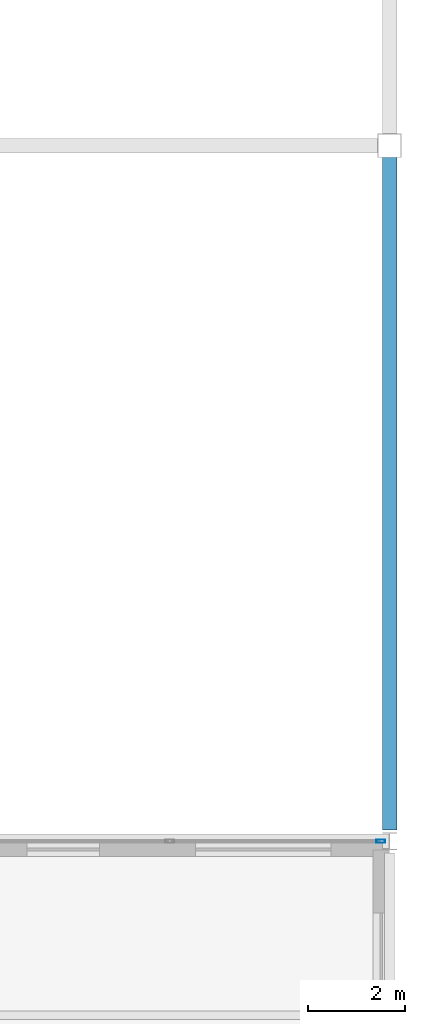
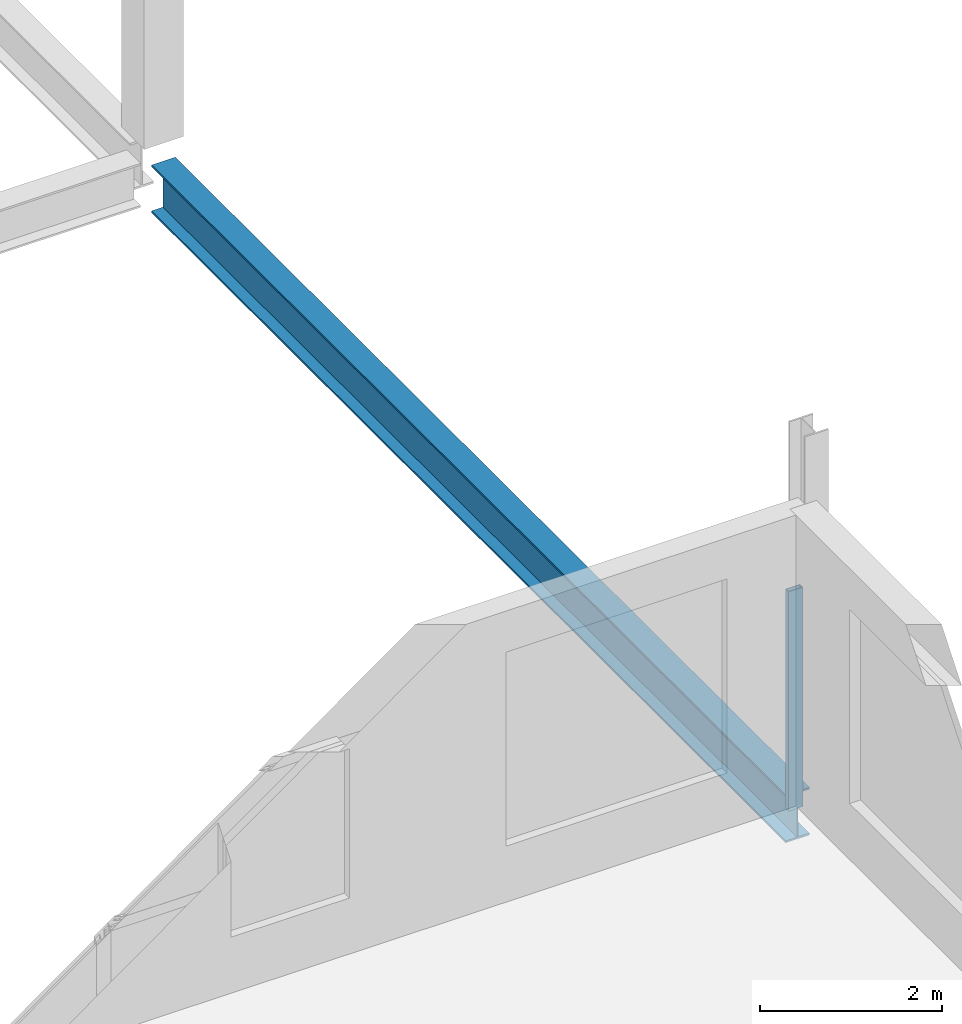
# One storey, part 94 of 134: 1 beam, 1 member, 1 element without a shape of its own.
"""IFC4 building model written with IfcOpenShell, lengths in metres."""

from ifc_helpers import new_model, si_unit, direction, frame, origin, origin_2d, place, context, subcontext, project, spatial, hollow_rectangle, i_section, extrude, material, layer, layer_set, material_profile, profile_set, type_object, element, aggregate, save


model = new_model("IFC4")

# Units and contexts
model_context = context("Model", 3, precision=1e-05, world=origin(), true_north=direction((0.0, 1.0)))
body_context = subcontext(model_context, "Body", "Model", "MODEL_VIEW")
ifc_project = project(units=[si_unit("LENGTHUNIT", "METRE"), si_unit("AREAUNIT", "SQUARE_METRE"), si_unit("VOLUMEUNIT", "CUBIC_METRE"), si_unit("PLANEANGLEUNIT", "RADIAN"), si_unit("MASSUNIT", "GRAM", prefix="KILO")], contexts=[model_context])

# Site, building, storey
site_placement = place(None, origin())
site = spatial("IfcSite", under=ifc_project, at=site_placement, CompositionType="ELEMENT")
building_placement = place(site_placement, origin())
building = spatial("IfcBuilding", under=site, at=building_placement, Name="Tamarisk Ironworks Central Station", CompositionType="ELEMENT")
storey_placement = place(building_placement, frame((0.0, 0.0, 12.60009765625)))
storey = spatial("IfcBuildingStorey", under=building, at=storey_placement, Name="L02", CompositionType="ELEMENT", Elevation=12.60009765625)

# Beam
ifc_material_1 = material(Name="Structural steel S355J2", Category="steel")
ifc_material_profile_1 = material_profile(ifc_material_1, i_section(OverallWidth=0.300048828125, OverallDepth=0.639892578125, WebThickness=0.013427734375, FlangeThickness=0.02587890625, at=origin_2d()), Name="HEA 650")
ifc_profile_set_1 = profile_set([ifc_material_profile_1], Name="Structural steel S355J2")
beam_type = type_object("IfcBeamType", Name="BM-G02", PredefinedType="BEAM", material=ifc_profile_set_1)
beam_placement = place(storey_placement, frame((180.0, 21.837890625, -0.570068359375), z_axis=(0.0, 1.0, 0.0), x_axis=(-1.0, 0.0, 0.0)))
element("IfcBeam", 1, at=beam_placement, inside=storey, type_object=beam_type, Name="L02 primary girder Y-0532", PredefinedType="BEAM", context=body_context, shape_type="SweptSolid", body=[
    extrude(i_section(OverallWidth=0.300048828125, OverallDepth=0.639892578125, WebThickness=0.013427734375, FlangeThickness=0.02587890625, at=origin_2d()), origin(), (0.0, 0.0, 1.0), 13.924072265625),
])

# Curtain wall, member
ifc_material_2 = material(Name="Anodized aluminium alloy 6063-T6", Category="aluminium")
ifc_layer = layer(ifc_material_2, 0.179931640625)
ifc_layer_set = layer_set([ifc_layer], Name="Anodized aluminium alloy 6063-T6")
curtain_wall_type = type_object("IfcCurtainWallType", Name="CW-07", PredefinedType="USERDEFINED", material=ifc_layer_set)
curtain_wall_placement = place(storey_placement, origin())
curtain_wall = element("IfcCurtainWall", 2, at=curtain_wall_placement, inside=storey, type_object=curtain_wall_type, Name="Train shed ES clerestory curtain wall 166", ObjectType="GLAZED CURTAIN WALL", PredefinedType="USERDEFINED")
ifc_material_profile_2 = material_profile(ifc_material_2, hollow_rectangle(XDim=0.06494140625, YDim=0.179931640625, WallThickness=0.00390625, at=origin_2d()), Name="ALUM 180x65")
ifc_profile_set_2 = profile_set([ifc_material_profile_2], Name="Anodized aluminium alloy 6063-T6")
member_type = type_object("IfcMemberType", Name="CWM-02", PredefinedType="MULLION", material=ifc_profile_set_2)
member_placement = place(storey_placement, frame((179.819580078125, 21.60009765625, -0.260009765625), z_axis=(0.0, 0.0, 1.0), x_axis=(0.0, 1.0, 0.0)))
member = element("IfcMember", 3, at=member_placement, type_object=member_type, Name="CW07 mullion 4", PredefinedType="MULLION", context=body_context, shape_type="SweptSolid", body=[
    extrude(hollow_rectangle(XDim=0.06494140625, YDim=0.179931640625, WallThickness=0.00390625, at=origin_2d()), origin(), (0.0, 0.0, 1.0), 2.93994140625),
])
aggregate(curtain_wall, [member])

save(model, "model.ifc")
